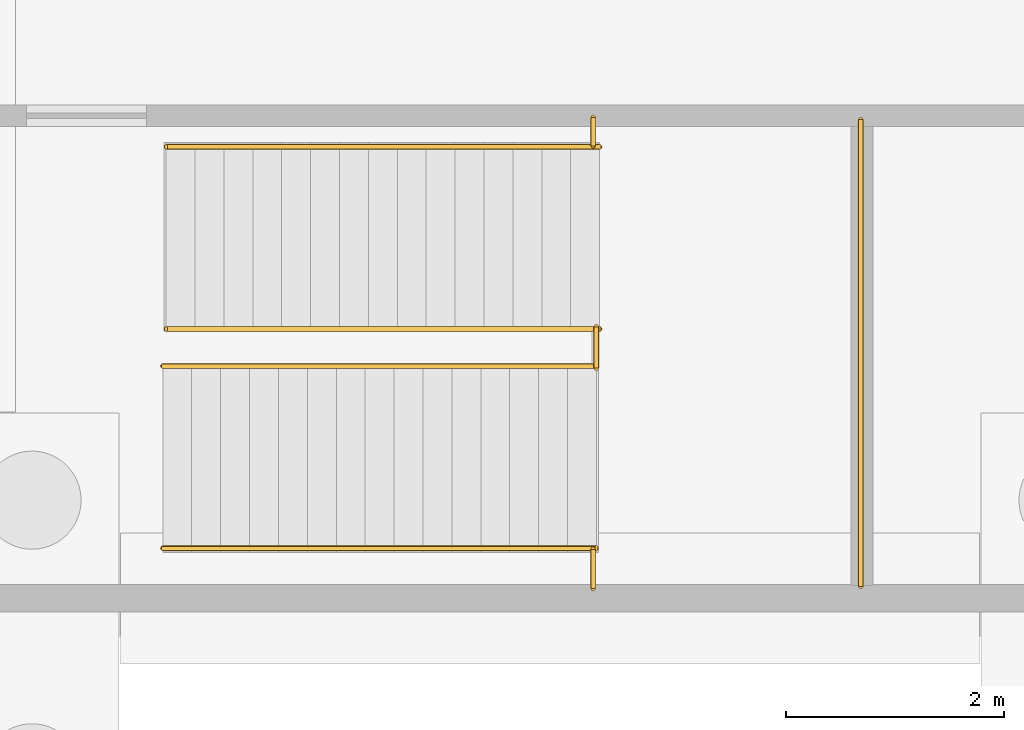
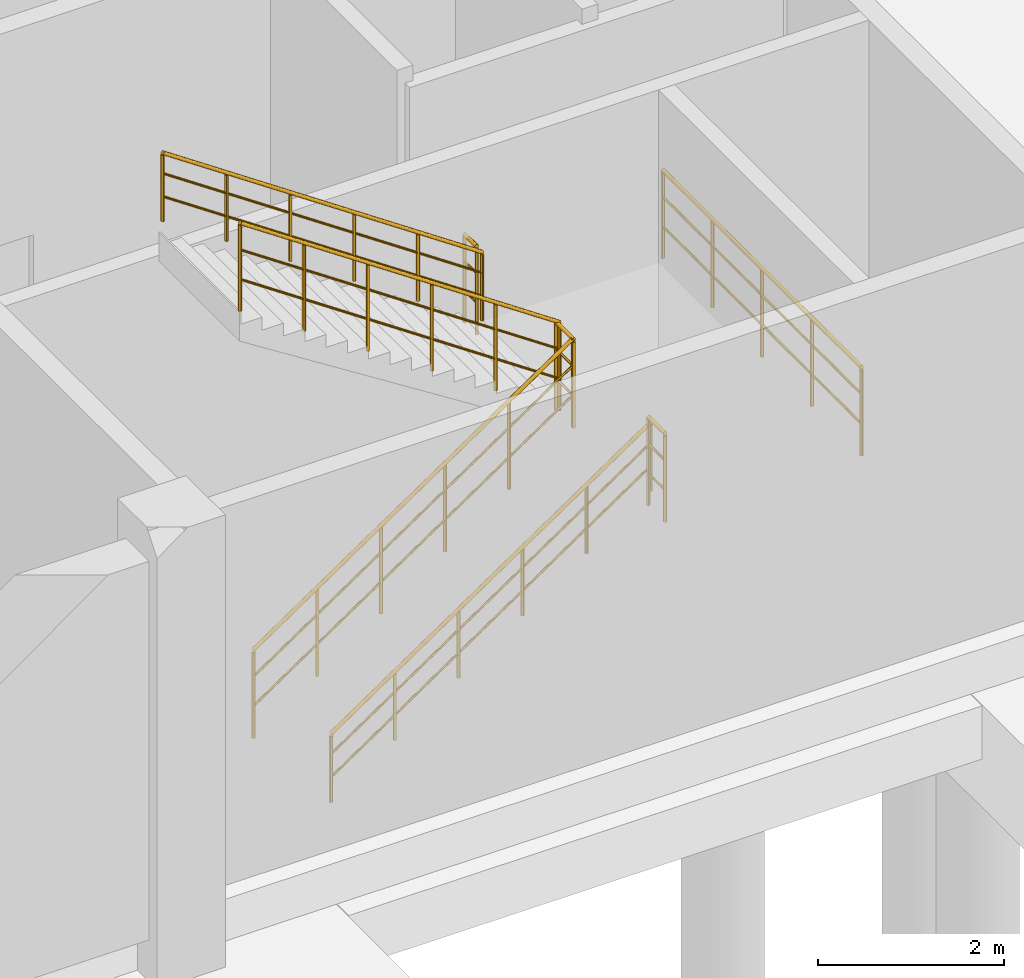
# One storey, part 39 of 42: 8 railings.
"""IFC4 building model written with IfcOpenShell, lengths in metres."""

from ifc_helpers import new_model, si_unit, direction, frame, origin, origin_2d, place, context, subcontext, project, spatial, circle, extrude, material, layer, layer_set, type_object, element, save


model = new_model("IFC4")

# Units and contexts
model_context = context("Model", 3, precision=1e-05, world=origin(), true_north=direction((0.0, 1.0)))
body_context = subcontext(model_context, "Body", "Model", "MODEL_VIEW")
ifc_project = project(units=[si_unit("LENGTHUNIT", "METRE"), si_unit("AREAUNIT", "SQUARE_METRE"), si_unit("VOLUMEUNIT", "CUBIC_METRE"), si_unit("PLANEANGLEUNIT", "RADIAN"), si_unit("MASSUNIT", "GRAM", prefix="KILO"), si_unit("THERMODYNAMICTEMPERATUREUNIT", "KELVIN"), si_unit("POWERUNIT", "WATT")], contexts=[model_context])

# Site, building, storey
site_placement = place(None, origin())
site = spatial("IfcSite", under=ifc_project, at=site_placement, CompositionType="ELEMENT")
building_placement = place(site_placement, origin())
building = spatial("IfcBuilding", under=site, at=building_placement, Name="Solmara Park Aquatics Centre", CompositionType="ELEMENT")
storey_placement = place(building_placement, frame((0.0, 0.0, -5.39990234375)))
storey = spatial("IfcBuildingStorey", under=building, at=storey_placement, Name="B1", CompositionType="ELEMENT", Elevation=-5.39990234375)

# Railings
ifc_material_1 = material(Name="Brushed Marine-Grade Stainless Steel 316L Handrail", Category="steel")
ifc_layer_1 = layer(ifc_material_1, 0.044921875, Name="Brushed Marine-Grade Stainless Steel 316L Handrail")
ifc_layer_set_1 = layer_set([ifc_layer_1], Name="Brushed Marine-Grade Stainless Steel 316L Handrail")
railing_type_1 = type_object("IfcRailingType", Name="ARC-RL-HND090", PredefinedType="HANDRAIL", material=ifc_layer_set_1)
railing_1_placement = place(storey_placement, frame((87.050048828125, 109.409912109375, 0.168701171875)))
element("IfcRailing", 1, at=railing_1_placement, inside=storey, type_object=railing_type_1, Name="ST-02 Protected Exit Stair (B1 to L00) Flight 1 Outer Handrail", PredefinedType="HANDRAIL", context=body_context, shape_type="SweptSolid", body=[
    extrude(circle(Radius=0.02392578125, at=origin_2d()), frame((0.0, 0.0, 0.89599609375), z_axis=(0.827211789872, 0.0, 0.56189025147), x_axis=(0.0, 1.0, 0.0)), (0.0, 0.0, 1.0), 4.80517578125),
    extrude(circle(Radius=0.01416015625, at=origin_2d()), frame((0.0, 0.0, 0.322021484375), z_axis=(0.827211789872, 0.0, 0.56189025147), x_axis=(0.0, 1.0, 0.0)), (0.0, 0.0, 1.0), 4.80517578125),
    extrude(circle(Radius=0.01416015625, at=origin_2d()), frame((0.0, 0.0, 0.62548828125), z_axis=(0.827211789872, 0.0, 0.56189025147), x_axis=(0.0, 1.0, 0.0)), (0.0, 0.0, 1.0), 4.80517578125),
    extrude(circle(Radius=0.02099609375, at=origin_2d()), origin(), (0.0, 0.0, 1.0), 0.871826171875),
    extrude(circle(Radius=0.02099609375, at=origin_2d()), frame((0.794921875, 0.0, 0.5400390625)), (0.0, 0.0, 1.0), 0.871826171875),
    extrude(circle(Radius=0.02099609375, at=origin_2d()), frame((1.58984375, 0.0, 1.080078125)), (0.0, 0.0, 1.0), 0.871826171875),
    extrude(circle(Radius=0.02099609375, at=origin_2d()), frame((2.385009765625, 0.0, 1.619873046875)), (0.0, 0.0, 1.0), 0.871826171875),
    extrude(circle(Radius=0.02099609375, at=origin_2d()), frame((3.179931640625, 0.0, 2.159912109375)), (0.0, 0.0, 1.0), 0.871826171875),
    extrude(circle(Radius=0.02099609375, at=origin_2d()), frame((3.974853515625, 0.0, 2.699951171875)), (0.0, 0.0, 1.0), 0.871826171875),
])
railing_2_placement = place(storey_placement, frame((91.054931640625, 113.090087890625, 2.86865234375)))
element("IfcRailing", 2, at=railing_2_placement, inside=storey, type_object=railing_type_1, Name="ST-02 Protected Exit Stair (B1 to L00) Flight 2 Outer Handrail", PredefinedType="HANDRAIL", context=body_context, shape_type="SweptSolid", body=[
    extrude(circle(Radius=0.02392578125, at=origin_2d()), frame((0.0, 0.0, 0.89599609375), z_axis=(-0.827211789872, 0.0, 0.56189025147), x_axis=(0.0, -1.0, 0.0)), (0.0, 0.0, 1.0), 4.80517578125),
    extrude(circle(Radius=0.01416015625, at=origin_2d()), frame((0.0, 0.0, 0.322021484375), z_axis=(-0.827211789872, 0.0, 0.56189025147), x_axis=(0.0, -1.0, 0.0)), (0.0, 0.0, 1.0), 4.80517578125),
    extrude(circle(Radius=0.01416015625, at=origin_2d()), frame((0.0, 0.0, 0.62548828125), z_axis=(-0.827211789872, 0.0, 0.56189025147), x_axis=(0.0, -1.0, 0.0)), (0.0, 0.0, 1.0), 4.80517578125),
    extrude(circle(Radius=0.02099609375, at=origin_2d()), origin(), (0.0, 0.0, 1.0), 0.871826171875),
    extrude(circle(Radius=0.02099609375, at=origin_2d()), frame((-0.794921875, 0.0, 0.5400390625)), (0.0, 0.0, 1.0), 0.871826171875),
    extrude(circle(Radius=0.02099609375, at=origin_2d()), frame((-1.58984375, 0.0, 1.080078125)), (0.0, 0.0, 1.0), 0.871826171875),
    extrude(circle(Radius=0.02099609375, at=origin_2d()), frame((-2.385009765625, 0.0, 1.619873046875)), (0.0, 0.0, 1.0), 0.871826171875),
    extrude(circle(Radius=0.02099609375, at=origin_2d()), frame((-3.179931640625, 0.0, 2.159912109375)), (0.0, 0.0, 1.0), 0.871826171875),
    extrude(circle(Radius=0.02099609375, at=origin_2d()), frame((-3.974853515625, 0.0, 2.699951171875)), (0.0, 0.0, 1.0), 0.871826171875),
])
ifc_material_2 = material(Name="Brushed Stainless Steel Guardrail", Category="steel")
ifc_layer_2 = layer(ifc_material_2, 0.050048828125, Name="Brushed Stainless Steel Guardrail")
ifc_layer_set_2 = layer_set([ifc_layer_2], Name="Brushed Stainless Steel Guardrail")
railing_type_2 = type_object("IfcRailingType", Name="ARC-RL-STR110", PredefinedType="GUARDRAIL", material=ifc_layer_set_2)
railing_3_placement = place(storey_placement, frame((87.050048828125, 111.080078125, 0.0)))
element("IfcRailing", 3, at=railing_3_placement, inside=storey, type_object=railing_type_2, Name="ST-02 Protected Exit Stair (B1 to L00) Flight 1 Inner Guardrail", PredefinedType="GUARDRAIL", context=body_context, shape_type="SweptSolid", body=[
    extrude(circle(Radius=0.02392578125, at=origin_2d()), frame((0.0, 0.0, 1.15576171875), z_axis=(0.827211789872, 0.0, 0.56189025147), x_axis=(0.0, 1.0, 0.0)), (0.0, 0.0, 1.0), 4.80517578125),
    extrude(circle(Radius=0.01416015625, at=origin_2d()), frame((0.0, 0.0, 0.4130859375), z_axis=(0.827211789872, 0.0, 0.56189025147), x_axis=(0.0, 1.0, 0.0)), (0.0, 0.0, 1.0), 4.80517578125),
    extrude(circle(Radius=0.01416015625, at=origin_2d()), frame((0.0, 0.0, 0.80224609375), z_axis=(0.827211789872, 0.0, 0.56189025147), x_axis=(0.0, 1.0, 0.0)), (0.0, 0.0, 1.0), 4.80517578125),
    extrude(circle(Radius=0.02099609375, at=origin_2d()), origin(), (0.0, 0.0, 1.0), 1.1318359375),
    extrude(circle(Radius=0.02099609375, at=origin_2d()), frame((0.794921875, 0.0, 0.5400390625)), (0.0, 0.0, 1.0), 1.1318359375),
    extrude(circle(Radius=0.02099609375, at=origin_2d()), frame((1.58984375, 0.0, 1.080078125)), (0.0, 0.0, 1.0), 1.1318359375),
    extrude(circle(Radius=0.02099609375, at=origin_2d()), frame((2.385009765625, 0.0, 1.619873046875)), (0.0, 0.0, 1.0), 1.1318359375),
    extrude(circle(Radius=0.02099609375, at=origin_2d()), frame((3.179931640625, 0.0, 2.159912109375)), (0.0, 0.0, 1.0), 1.1318359375),
    extrude(circle(Radius=0.02099609375, at=origin_2d()), frame((3.974853515625, 0.0, 2.699951171875)), (0.0, 0.0, 1.0), 1.1318359375),
])
railing_4_placement = place(storey_placement, frame((91.054931640625, 111.419921875, 2.699951171875)))
element("IfcRailing", 4, at=railing_4_placement, inside=storey, type_object=railing_type_2, Name="ST-02 Protected Exit Stair (B1 to L00) Flight 2 Inner Guardrail", PredefinedType="GUARDRAIL", context=body_context, shape_type="SweptSolid", body=[
    extrude(circle(Radius=0.02392578125, at=origin_2d()), frame((0.0, 0.0, 1.15576171875), z_axis=(-0.827211789872, 0.0, 0.56189025147), x_axis=(0.0, -1.0, 0.0)), (0.0, 0.0, 1.0), 4.80517578125),
    extrude(circle(Radius=0.01416015625, at=origin_2d()), frame((0.0, 0.0, 0.4130859375), z_axis=(-0.827211789872, 0.0, 0.56189025147), x_axis=(0.0, -1.0, 0.0)), (0.0, 0.0, 1.0), 4.80517578125),
    extrude(circle(Radius=0.01416015625, at=origin_2d()), frame((0.0, 0.0, 0.80224609375), z_axis=(-0.827211789872, 0.0, 0.56189025147), x_axis=(0.0, -1.0, 0.0)), (0.0, 0.0, 1.0), 4.80517578125),
    extrude(circle(Radius=0.02099609375, at=origin_2d()), origin(), (0.0, 0.0, 1.0), 1.1318359375),
    extrude(circle(Radius=0.02099609375, at=origin_2d()), frame((-0.794921875, 0.0, 0.5400390625)), (0.0, 0.0, 1.0), 1.1318359375),
    extrude(circle(Radius=0.02099609375, at=origin_2d()), frame((-1.58984375, 0.0, 1.080078125)), (0.0, 0.0, 1.0), 1.1318359375),
    extrude(circle(Radius=0.02099609375, at=origin_2d()), frame((-2.385009765625, 0.0, 1.619873046875)), (0.0, 0.0, 1.0), 1.1318359375),
    extrude(circle(Radius=0.02099609375, at=origin_2d()), frame((-3.179931640625, 0.0, 2.159912109375)), (0.0, 0.0, 1.0), 1.1318359375),
    extrude(circle(Radius=0.02099609375, at=origin_2d()), frame((-3.974853515625, 0.0, 2.699951171875)), (0.0, 0.0, 1.0), 1.1318359375),
])
railing_5_placement = place(storey_placement, frame((91.02490234375, 111.06005859375, 2.699951171875)))
element("IfcRailing", 5, at=railing_5_placement, inside=storey, type_object=railing_type_2, Name="ST-02 Protected Exit Stair (B1 to L00) Half-Landing Well Guardrail", PredefinedType="GUARDRAIL", context=body_context, shape_type="SweptSolid", body=[
    extrude(circle(Radius=0.02392578125, at=origin_2d()), frame((0.0, 0.0, 1.15576171875), z_axis=(0.0, 1.0, 0.0), x_axis=(-1.0, 0.0, 0.0)), (0.0, 0.0, 1.0), 0.3798828125),
    extrude(circle(Radius=0.01416015625, at=origin_2d()), frame((0.0, 0.0, 0.4130859375), z_axis=(0.0, 1.0, 0.0), x_axis=(-1.0, 0.0, 0.0)), (0.0, 0.0, 1.0), 0.3798828125),
    extrude(circle(Radius=0.01416015625, at=origin_2d()), frame((0.0, 0.0, 0.80224609375), z_axis=(0.0, 1.0, 0.0), x_axis=(-1.0, 0.0, 0.0)), (0.0, 0.0, 1.0), 0.3798828125),
    extrude(circle(Radius=0.02099609375, at=origin_2d()), origin(), (0.0, 0.0, 1.0), 1.1318359375),
    extrude(circle(Radius=0.02099609375, at=origin_2d()), frame((0.0, 0.3798828125, 0.0)), (0.0, 0.0, 1.0), 1.1318359375),
])
railing_6_placement = place(storey_placement, frame((90.9951171875, 109.0400390625, 2.699951171875)))
element("IfcRailing", 6, at=railing_6_placement, inside=storey, type_object=railing_type_2, Name="ST-02 Protected Exit Stair (B1 to L00) Half-Landing South Slot Guardrail", PredefinedType="GUARDRAIL", context=body_context, shape_type="SweptSolid", body=[
    extrude(circle(Radius=0.02392578125, at=origin_2d()), frame((0.0, 0.0, 1.15576171875), z_axis=(0.0, 1.0, 0.0), x_axis=(-1.0, 0.0, 0.0)), (0.0, 0.0, 1.0), 0.35986328125),
    extrude(circle(Radius=0.01416015625, at=origin_2d()), frame((0.0, 0.0, 0.4130859375), z_axis=(0.0, 1.0, 0.0), x_axis=(-1.0, 0.0, 0.0)), (0.0, 0.0, 1.0), 0.35986328125),
    extrude(circle(Radius=0.01416015625, at=origin_2d()), frame((0.0, 0.0, 0.80224609375), z_axis=(0.0, 1.0, 0.0), x_axis=(-1.0, 0.0, 0.0)), (0.0, 0.0, 1.0), 0.35986328125),
    extrude(circle(Radius=0.02099609375, at=origin_2d()), origin(), (0.0, 0.0, 1.0), 1.1318359375),
    extrude(circle(Radius=0.02099609375, at=origin_2d()), frame((0.0, 0.35986328125, 0.0)), (0.0, 0.0, 1.0), 1.1318359375),
])
railing_7_placement = place(storey_placement, frame((90.9951171875, 113.10009765625, 2.699951171875)))
element("IfcRailing", 7, at=railing_7_placement, inside=storey, type_object=railing_type_2, Name="ST-02 Protected Exit Stair (B1 to L00) Half-Landing North Slot Guardrail", PredefinedType="GUARDRAIL", context=body_context, shape_type="SweptSolid", body=[
    extrude(circle(Radius=0.02392578125, at=origin_2d()), frame((0.0, 0.0, 1.15576171875), z_axis=(0.0, 1.0, 0.0), x_axis=(-1.0, 0.0, 0.0)), (0.0, 0.0, 1.0), 0.260009765625),
    extrude(circle(Radius=0.01416015625, at=origin_2d()), frame((0.0, 0.0, 0.4130859375), z_axis=(0.0, 1.0, 0.0), x_axis=(-1.0, 0.0, 0.0)), (0.0, 0.0, 1.0), 0.260009765625),
    extrude(circle(Radius=0.01416015625, at=origin_2d()), frame((0.0, 0.0, 0.80224609375), z_axis=(0.0, 1.0, 0.0), x_axis=(-1.0, 0.0, 0.0)), (0.0, 0.0, 1.0), 0.260009765625),
    extrude(circle(Radius=0.02099609375, at=origin_2d()), origin(), (0.0, 0.0, 1.0), 1.1318359375),
    extrude(circle(Radius=0.02099609375, at=origin_2d()), frame((0.0, 0.260009765625, 0.0)), (0.0, 0.0, 1.0), 1.1318359375),
])
railing_8_placement = place(storey_placement, frame((93.449951171875, 109.06005859375, 2.699951171875)))
element("IfcRailing", 8, at=railing_8_placement, inside=storey, type_object=railing_type_2, Name="ST-02 Protected Exit Stair (B1 to L00) Half-Landing Outer Guardrail", PredefinedType="GUARDRAIL", context=body_context, shape_type="SweptSolid", body=[
    extrude(circle(Radius=0.02392578125, at=origin_2d()), frame((0.0, 0.0, 1.15576171875), z_axis=(0.0, 1.0, 0.0), x_axis=(-1.0, 0.0, 0.0)), (0.0, 0.0, 1.0), 4.280029296875),
    extrude(circle(Radius=0.01416015625, at=origin_2d()), frame((0.0, 0.0, 0.4130859375), z_axis=(0.0, 1.0, 0.0), x_axis=(-1.0, 0.0, 0.0)), (0.0, 0.0, 1.0), 4.280029296875),
    extrude(circle(Radius=0.01416015625, at=origin_2d()), frame((0.0, 0.0, 0.80224609375), z_axis=(0.0, 1.0, 0.0), x_axis=(-1.0, 0.0, 0.0)), (0.0, 0.0, 1.0), 4.280029296875),
    extrude(circle(Radius=0.02099609375, at=origin_2d()), origin(), (0.0, 0.0, 1.0), 1.1318359375),
    extrude(circle(Radius=0.02099609375, at=origin_2d()), frame((0.0, 1.070068359375, 0.0)), (0.0, 0.0, 1.0), 1.1318359375),
    extrude(circle(Radius=0.02099609375, at=origin_2d()), frame((0.0, 2.14013671875, 0.0)), (0.0, 0.0, 1.0), 1.1318359375),
    extrude(circle(Radius=0.02099609375, at=origin_2d()), frame((0.0, 3.2099609375, 0.0)), (0.0, 0.0, 1.0), 1.1318359375),
    extrude(circle(Radius=0.02099609375, at=origin_2d()), frame((0.0, 4.280029296875, 0.0)), (0.0, 0.0, 1.0), 1.1318359375),
])

save(model, "model.ifc")
